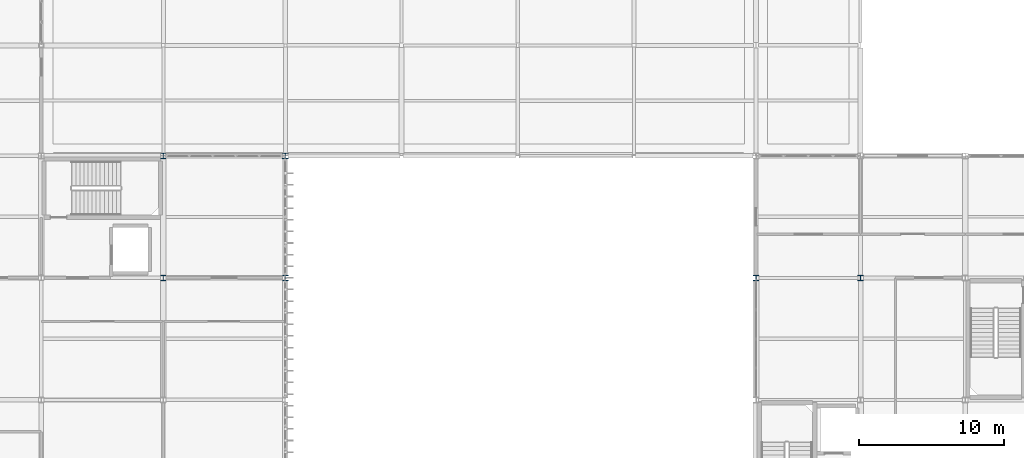
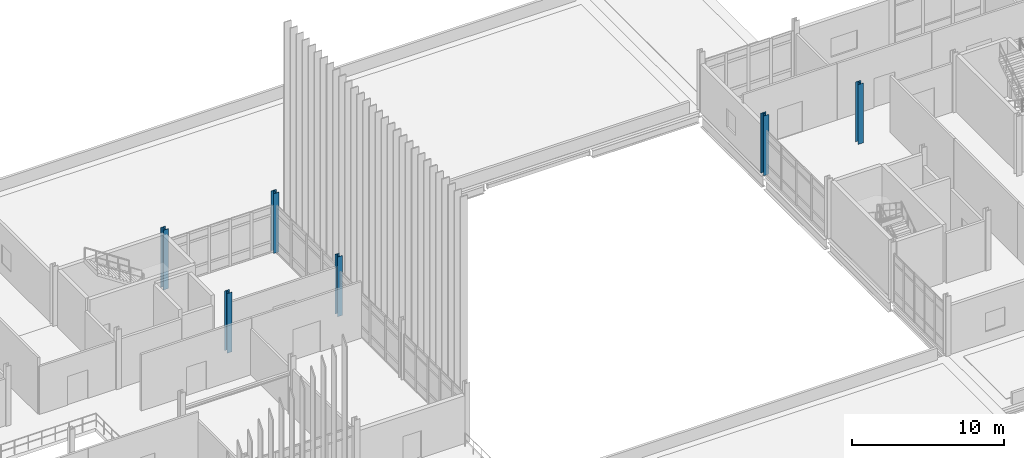
# One storey, part 7 of 153: 6 columns.
"""IFC4 building model written with IfcOpenShell, lengths in metres."""

from ifc_helpers import new_model, si_unit, direction, frame, origin, origin_2d, place, context, subcontext, project, spatial, i_section, extrude, material, material_profile, profile_set, type_object, element, save


model = new_model("IFC4")

# Units and contexts
model_context = context("Model", 3, precision=1e-05, world=origin(), true_north=direction((0.0, 1.0)))
body_context = subcontext(model_context, "Body", "Model", "MODEL_VIEW")
ifc_project = project(units=[si_unit("LENGTHUNIT", "METRE"), si_unit("AREAUNIT", "SQUARE_METRE"), si_unit("VOLUMEUNIT", "CUBIC_METRE"), si_unit("PLANEANGLEUNIT", "RADIAN"), si_unit("MASSUNIT", "GRAM", prefix="KILO")], contexts=[model_context])

# Site, building, storey
site_placement = place(None, origin())
site = spatial("IfcSite", under=ifc_project, at=site_placement, CompositionType="ELEMENT")
building_placement = place(site_placement, origin())
building = spatial("IfcBuilding", under=site, at=building_placement, Name="Calvrana Isthmian Art Gallery", CompositionType="ELEMENT")
storey_placement = place(building_placement, frame((0.0, 0.0, 10.199951171875)))
storey = spatial("IfcBuildingStorey", under=building, at=storey_placement, Name="L02", CompositionType="ELEMENT", Elevation=10.199951171875)

# Columns
ifc_material = material(Name="Steel ASTM A992 Gr 50", Category="steel")
ifc_material_profile_1 = material_profile(ifc_material, i_section(OverallWidth=0.373046875, OverallDepth=0.367919921875, WebThickness=0.014892578125, FlangeThickness=0.02392578125, FilletRadius=0.02490234375, at=origin_2d()), Name="W14X120")
ifc_profile_set_1 = profile_set([ifc_material_profile_1], Name="Steel ASTM A992 Gr 50")
column_type_1 = type_object("IfcColumnType", Name="COL-STL-W14X120", PredefinedType="COLUMN", material=ifc_profile_set_1)
column_1_placement = place(storey_placement, frame((80.39990234375, 38.39990234375, 0.0), z_axis=(0.0, 0.0, 1.0), x_axis=(1.0, 0.0, 0.0)))
element("IfcColumn", 1, at=column_1_placement, inside=storey, type_object=column_type_1, Name="Column 11/F L02", PredefinedType="COLUMN", context=body_context, shape_type="SweptSolid", body=[
    extrude(i_section(OverallWidth=0.373046875, OverallDepth=0.367919921875, WebThickness=0.014892578125, FlangeThickness=0.02392578125, FilletRadius=0.02490234375, at=origin_2d()), origin(), (0.0, 0.0, 1.0), 4.800048828125),
])
ifc_material_profile_2 = material_profile(ifc_material, i_section(OverallWidth=0.373046875, OverallDepth=0.373046875, WebThickness=0.016357421875, FlangeThickness=0.026123046875, FilletRadius=0.02490234375, at=origin_2d()), Name="W14X132")
ifc_profile_set_2 = profile_set([ifc_material_profile_2], Name="Steel ASTM A992 Gr 50")
column_type_2 = type_object("IfcColumnType", Name="COL-STL-W14X132", PredefinedType="COLUMN", material=ifc_profile_set_2)
for number, where, z_axis, x_axis, name in (
    (2, (72.0, 38.39990234375, 0.0), (0.0, 0.0, 1.0), (1.0, 0.0, 0.0), "Column 10/F L02"),
    (3, (72.0, 46.800048828125, 0.0), (0.0, 0.0, 1.0), (1.0, 0.0, 0.0), "Column 10/G L02"),
):
    element("IfcColumn", number, at=place(storey_placement, frame(where, z_axis=z_axis, x_axis=x_axis)), inside=storey, type_object=column_type_2, Name=name, PredefinedType="COLUMN", context=body_context, shape_type="SweptSolid", body=[
        extrude(i_section(OverallWidth=0.373046875, OverallDepth=0.373046875, WebThickness=0.016357421875, FlangeThickness=0.026123046875, FilletRadius=0.02490234375, at=origin_2d()), origin(), (0.0, 0.0, 1.0), 4.800048828125),
    ])
ifc_material_profile_3 = material_profile(ifc_material, i_section(OverallWidth=0.39404296875, OverallDepth=0.3759765625, WebThickness=0.017333984375, FlangeThickness=0.027587890625, FilletRadius=0.02490234375, at=origin_2d()), Name="W14X145")
ifc_profile_set_3 = profile_set([ifc_material_profile_3], Name="Steel ASTM A992 Gr 50")
column_type_3 = type_object("IfcColumnType", Name="COL-STL-W14X145", PredefinedType="COLUMN", material=ifc_profile_set_3)
column_2_placement = place(storey_placement, frame((120.0, 38.39990234375, 0.0), z_axis=(0.0, 0.0, 1.0), x_axis=(1.0, 0.0, 0.0)))
element("IfcColumn", 4, at=column_2_placement, inside=storey, type_object=column_type_3, Name="Column 16/F L02", PredefinedType="COLUMN", context=body_context, shape_type="SweptSolid", body=[
    extrude(i_section(OverallWidth=0.39404296875, OverallDepth=0.3759765625, WebThickness=0.017333984375, FlangeThickness=0.027587890625, FilletRadius=0.02490234375, at=origin_2d()), origin(), (0.0, 0.0, 1.0), 4.800048828125),
])
ifc_material_profile_4 = material_profile(ifc_material, i_section(OverallWidth=0.39599609375, OverallDepth=0.381103515625, WebThickness=0.018798828125, FlangeThickness=0.0302734375, FilletRadius=0.02490234375, at=origin_2d()), Name="W14X159")
ifc_profile_set_4 = profile_set([ifc_material_profile_4], Name="Steel ASTM A992 Gr 50")
column_type_4 = type_object("IfcColumnType", Name="COL-STL-W14X159", PredefinedType="COLUMN", material=ifc_profile_set_4)
column_3_placement = place(storey_placement, frame((112.800048828125, 38.39990234375, 0.0), z_axis=(0.0, 0.0, 1.0), x_axis=(1.0, 0.0, 0.0)))
element("IfcColumn", 5, at=column_3_placement, inside=storey, type_object=column_type_4, Name="Column 15/F L02", PredefinedType="COLUMN", context=body_context, shape_type="SweptSolid", body=[
    extrude(i_section(OverallWidth=0.39599609375, OverallDepth=0.381103515625, WebThickness=0.018798828125, FlangeThickness=0.0302734375, FilletRadius=0.02490234375, at=origin_2d()), origin(), (0.0, 0.0, 1.0), 4.800048828125),
])
ifc_material_profile_5 = material_profile(ifc_material, i_section(OverallWidth=0.39892578125, OverallDepth=0.385986328125, WebThickness=0.02099609375, FlangeThickness=0.033203125, FilletRadius=0.02490234375, at=origin_2d()), Name="W14X176")
ifc_profile_set_5 = profile_set([ifc_material_profile_5], Name="Steel ASTM A992 Gr 50")
column_type_5 = type_object("IfcColumnType", Name="COL-STL-W14X176", PredefinedType="COLUMN", material=ifc_profile_set_5)
column_4_placement = place(storey_placement, frame((80.39990234375, 46.800048828125, 0.0), z_axis=(0.0, 0.0, 1.0), x_axis=(1.0, 0.0, 0.0)))
element("IfcColumn", 6, at=column_4_placement, inside=storey, type_object=column_type_5, Name="Column 11/G L02", PredefinedType="COLUMN", context=body_context, shape_type="SweptSolid", body=[
    extrude(i_section(OverallWidth=0.39892578125, OverallDepth=0.385986328125, WebThickness=0.02099609375, FlangeThickness=0.033203125, FilletRadius=0.02490234375, at=origin_2d()), origin(), (0.0, 0.0, 1.0), 4.800048828125),
])

save(model, "model.ifc")
